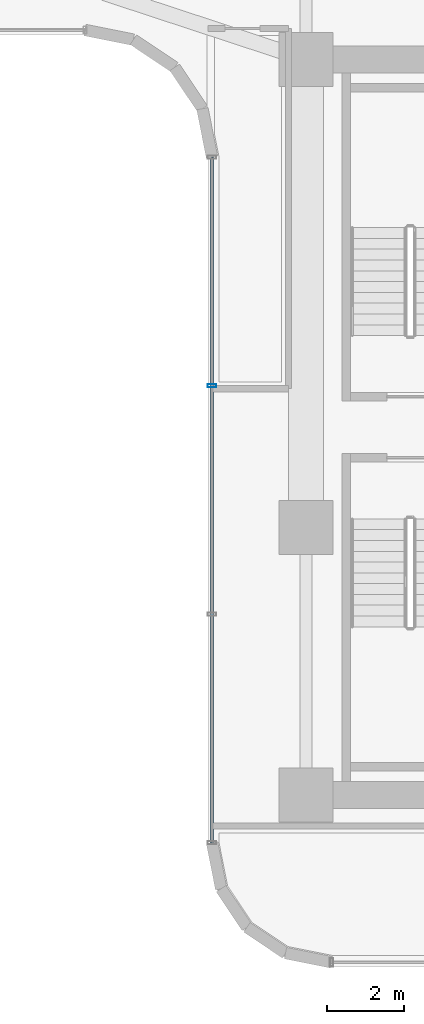
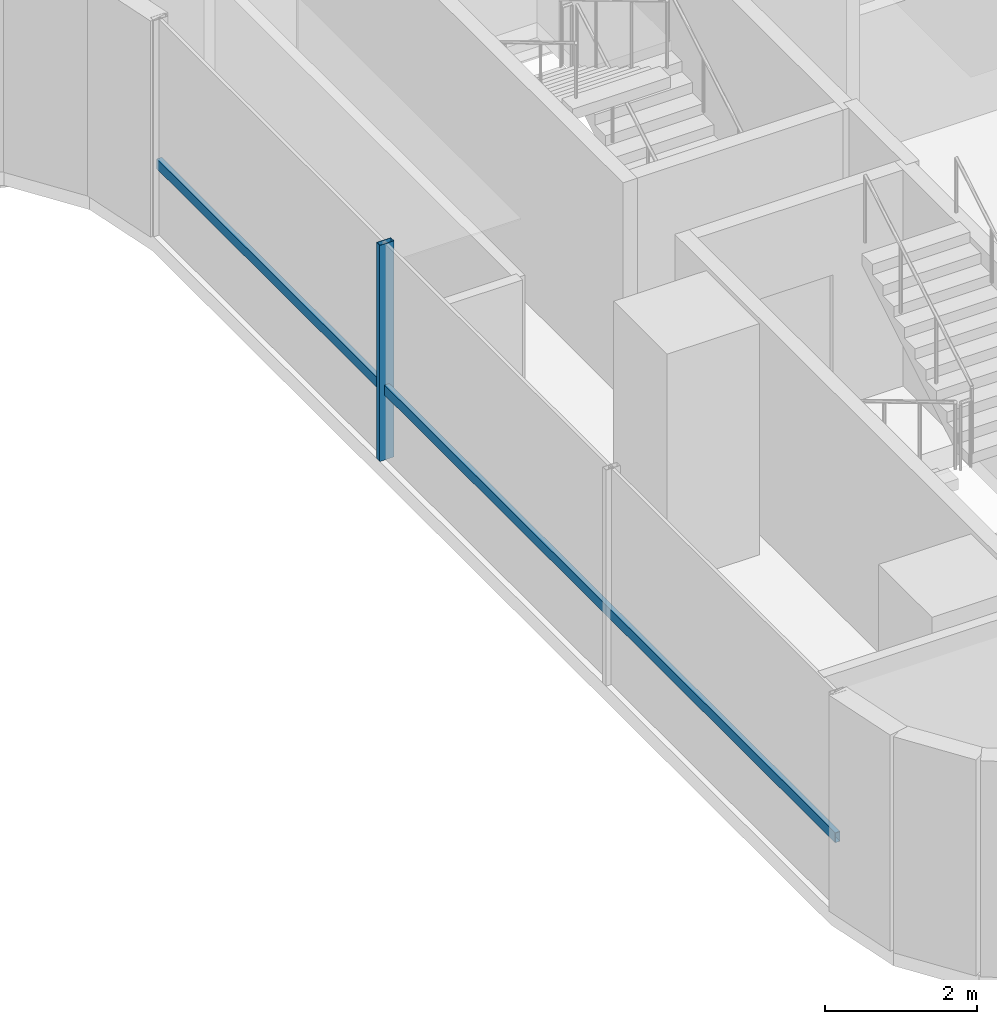
# One storey, part 15 of 42: 2 members, 1 element without a shape of its own.
"""IFC4 building model written with IfcOpenShell, lengths in metres."""

from ifc_helpers import new_model, si_unit, direction, frame, origin, origin_2d, place, context, subcontext, project, spatial, hollow_rectangle, extrude, source, transform, mapped, material, material_profile, profile_set, type_object, element, aggregate, save


model = new_model("IFC4")

# Units and contexts
model_context = context("Model", 3, precision=1e-05, world=origin(), true_north=direction((0.0, 1.0)))
body_context = subcontext(model_context, "Body", "Model", "MODEL_VIEW")
ifc_project = project(units=[si_unit("LENGTHUNIT", "METRE"), si_unit("AREAUNIT", "SQUARE_METRE"), si_unit("VOLUMEUNIT", "CUBIC_METRE"), si_unit("PLANEANGLEUNIT", "RADIAN"), si_unit("MASSUNIT", "GRAM", prefix="KILO")], contexts=[model_context])

# Site, building, storey
site_placement = place(None, origin())
site = spatial("IfcSite", under=ifc_project, at=site_placement, CompositionType="ELEMENT")
building_placement = place(site_placement, origin())
building = spatial("IfcBuilding", under=site, at=building_placement, Name="Valdorenza Pilgrim Sanctuary Tower", CompositionType="ELEMENT")
storey_placement = place(building_placement, frame((0.0, 0.0, 55.60009765625)))
storey = spatial("IfcBuildingStorey", under=building, at=storey_placement, Name="L13", CompositionType="ELEMENT", Elevation=55.60009765625)

# Curtain wall, members
ifc_material_1 = material(Name="Curtain-wall IGU glazing", Category="glass")
curtain_wall_type = type_object("IfcCurtainWallType", Name="CW-SYS-03", PredefinedType="NOTDEFINED", material=ifc_material_1)
curtain_wall_placement = place(storey_placement, origin())
curtain_wall = element("IfcCurtainWall", 1, at=curtain_wall_placement, inside=storey, type_object=curtain_wall_type, Name="L13 Curtain Wall CW-L13-1-31", PredefinedType="NOTDEFINED")
ifc_material_2 = material(Name="Anodised aluminium AW-6060", Category="aluminium")
ifc_material_profile_1 = material_profile(ifc_material_2, hollow_rectangle(XDim=0.0849609375, YDim=0.219970703125, WallThickness=0.0048828125, at=origin_2d()), Name="ALU-M 220x85x5")
ifc_profile_set_1 = profile_set([ifc_material_profile_1], Name="Anodised aluminium AW-6060")
member_type_1 = type_object("IfcMemberType", Name="CW-MUL-03", PredefinedType="MULLION", material=ifc_profile_set_1)
shared_shape_1 = source(origin(), body_context, "Body", "SweptSolid", [
    extrude(hollow_rectangle(XDim=0.0849609375, YDim=0.219970703125, WallThickness=0.0048828125, at=origin_2d()), origin(), (0.0, 0.0, 1.0), 3.4599609375),
])
member_1_placement = place(storey_placement, frame((13.409912109375, 1.077392578125, 0.0), z_axis=(0.0, 0.0, 1.0), x_axis=(0.0, 1.0, 0.0)))
member_1 = element("IfcMember", 2, at=member_1_placement, type_object=member_type_1, Name="CW-L13-1-31 Mullion 3", PredefinedType="MULLION", context=body_context, shape_type="MappedRepresentation", body=[
    mapped(shared_shape_1, transform((0.0, 0.0, 0.0), x_axis=(1.0, 0.0, 0.0), y_axis=(0.0, 1.0, 0.0), z_axis=(0.0, 0.0, 1.0), scale=1.0)),
])
ifc_material_profile_2 = material_profile(ifc_material_2, hollow_rectangle(XDim=0.074951171875, YDim=0.159912109375, WallThickness=0.00390625, at=origin_2d()), Name="ALU-T 160x75x4")
ifc_profile_set_2 = profile_set([ifc_material_profile_2], Name="Anodised aluminium AW-6060")
member_type_2 = type_object("IfcMemberType", Name="CW-TRN-03", PredefinedType="USERDEFINED", material=ifc_profile_set_2)
shared_shape_2 = source(origin(), body_context, "Body", "SweptSolid", [
    extrude(hollow_rectangle(XDim=0.074951171875, YDim=0.159912109375, WallThickness=0.00390625, at=origin_2d()), origin(), (0.0, 0.0, 1.0), 17.800048828125),
])
member_2_placement = place(storey_placement, frame((13.409912109375, -10.789306640625, 1.119873046875), z_axis=(0.0, 1.0, 0.0), x_axis=(-1.0, 0.0, 0.0)))
member_2 = element("IfcMember", 3, at=member_2_placement, type_object=member_type_2, Name="CW-L13-1-31 Transom 1", ObjectType="TRANSOM", PredefinedType="USERDEFINED", context=body_context, shape_type="MappedRepresentation", body=[
    mapped(shared_shape_2, transform((0.0, 0.0, 0.0), x_axis=(1.0, 0.0, 0.0), y_axis=(0.0, 1.0, 0.0), z_axis=(0.0, 0.0, 1.0), scale=1.0)),
])
aggregate(curtain_wall, [member_1, member_2])

save(model, "model.ifc")
